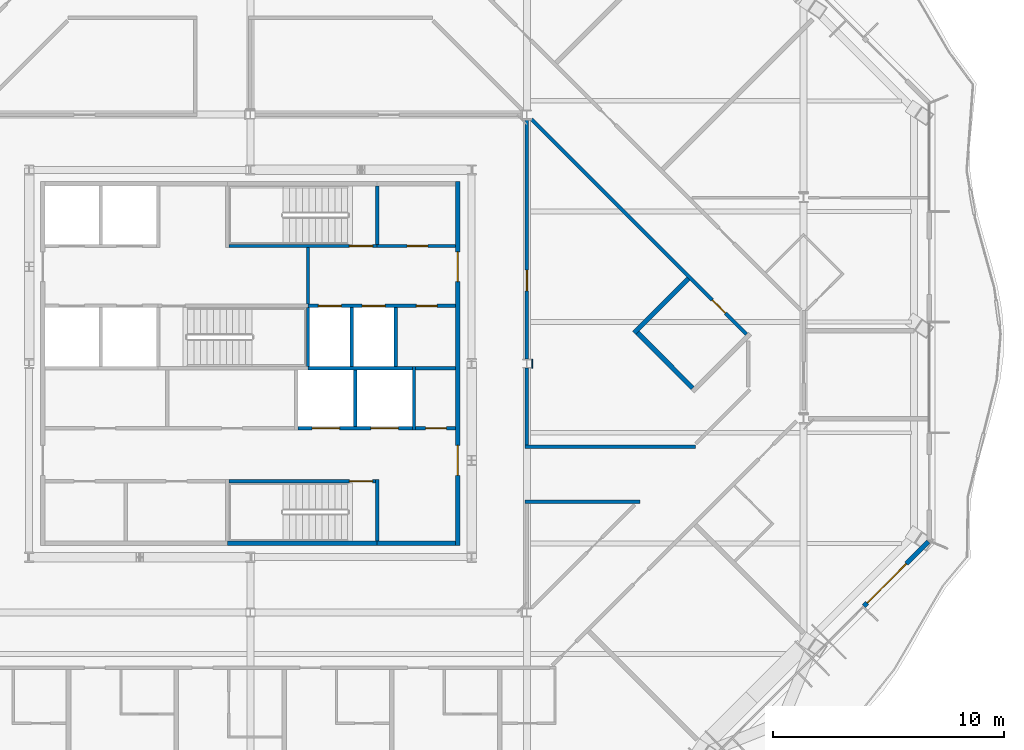
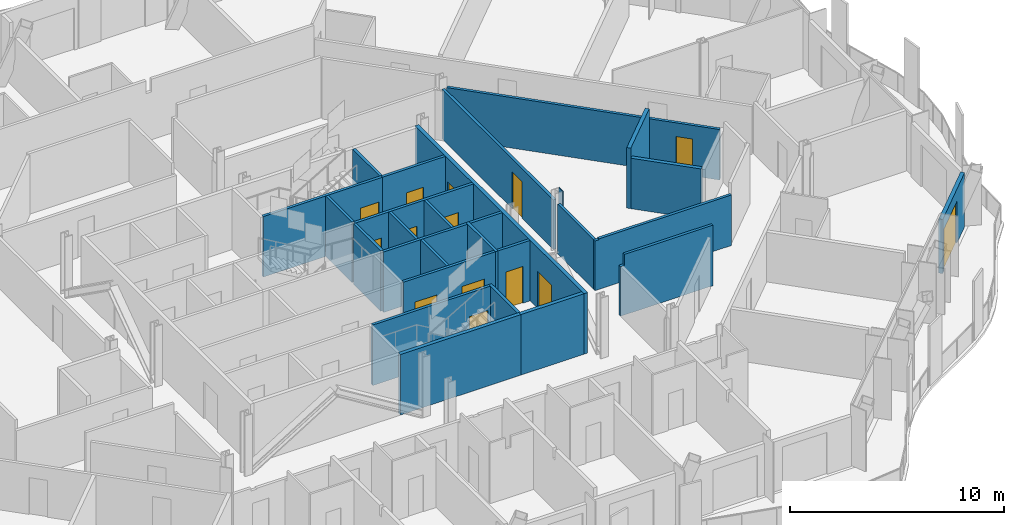
# One storey, part 10 of 21: 28 walls, 14 doors, 14 openings.
"""IFC4 building model written with IfcOpenShell, lengths in metres."""

from ifc_helpers import new_model, si_unit, direction, frame, frame_2d, origin, place, context, subcontext, project, spatial, polyline, rectangle, outline, extrude, material, layer, layer_set, type_object, element, fill, save


model = new_model("IFC4")

# Units and contexts
model_context = context("Model", 3, precision=1e-05, world=origin(), true_north=direction((0.0, 1.0)))
body_context = subcontext(model_context, "Body", "Model", "MODEL_VIEW")
ifc_project = project(units=[si_unit("LENGTHUNIT", "METRE"), si_unit("AREAUNIT", "SQUARE_METRE"), si_unit("VOLUMEUNIT", "CUBIC_METRE"), si_unit("PLANEANGLEUNIT", "RADIAN"), si_unit("MASSUNIT", "GRAM", prefix="KILO")], contexts=[model_context])

# Site, building, storey
site_placement = place(None, origin())
site = spatial("IfcSite", under=ifc_project, at=site_placement, CompositionType="ELEMENT")
building_placement = place(site_placement, origin())
building = spatial("IfcBuilding", under=site, at=building_placement, Name="Cairn Pilgrim Tower", CompositionType="ELEMENT")
storey_placement = place(building_placement, frame((0.0, 0.0, 179.39990234375)))
storey = spatial("IfcBuildingStorey", under=building, at=storey_placement, Name="L45", CompositionType="ELEMENT", Elevation=179.39990234375)

# Wall, opening, door
ifc_material_1 = material(Name="Bronze anodised aluminium insulated sandwich panel with mineral wool fill", Category="aluminium")
ifc_layer_1 = layer(ifc_material_1, 0.199951171875)
ifc_layer_set_1 = layer_set([ifc_layer_1], Name="BRONZE INFILL FRAME WALL 200")
wall_type_1 = type_object("IfcWallType", Name="BRONZE INFILL FRAME WALL 200", PredefinedType="NOTDEFINED", material=ifc_layer_set_1)
wall_1_placement = place(storey_placement, frame((33.820556640625, -8.1259765625, 0.0), z_axis=(0.0, 0.0, 1.0), x_axis=(0.707106781187, 0.707106781187, 0.0)))
wall_1 = element("IfcWall", 1, at=wall_1_placement, inside=storey, type_object=wall_type_1, Name="Bronze infill frame wall IW-SE5", PredefinedType="NOTDEFINED", context=body_context, shape_type="SweptSolid", body=[
    extrude(rectangle(XDim=3.961669921875, YDim=0.199951171875, at=frame_2d((1.98095703125, 0.0))), origin(), (0.0, 0.0, 1.0), 3.090087890625),
])
opening_1_placement = place(wall_1_placement, frame((0.199951171875, 0.0, 0.0)))
opening_1 = element("IfcOpeningElement", 2, at=opening_1_placement, cuts=wall_1, Name="Opening 4505B2", PredefinedType="OPENING", context=body_context, shape_type="SweptSolid", body=[
    extrude(rectangle(XDim=2.39990234375, YDim=2.39990234375, at=frame_2d((1.199951171875, 1.199951171875))), frame((0.0, 0.10986328125, 0.0), z_axis=(0.0, -1.0, 0.0), x_axis=(1.0, 0.0, 0.0)), (0.0, 0.0, 1.0), 0.219970703125),
])
ifc_material_2 = material(Name="Bronze anodised aluminium frame with tinted low-E glass", Category="aluminium")
door_type_1 = type_object("IfcDoorType", Name="BALCONY SLIDING DOOR 2400x2400", OperationType="DOUBLE_DOOR_SLIDING", PredefinedType="DOOR", material=ifc_material_2)
door_1_placement = place(opening_1_placement, origin())
door_1 = element("IfcDoor", 3, at=door_1_placement, inside=storey, type_object=door_type_1, Name="Balcony sliding door 4505B2", OperationType="SINGLE_SWING_LEFT", OverallHeight=2.39990234375, OverallWidth=2.39990234375, PredefinedType="DOOR", context=body_context, shape_type="SweptSolid", body=[
    extrude(rectangle(XDim=2.39990234375, YDim=2.39990234375, at=frame_2d((1.199951171875, 1.199951171875))), frame((0.0, 0.02490234375, 0.0), z_axis=(0.0, -1.0, 0.0), x_axis=(1.0, 0.0, 0.0)), (0.0, 0.0, 1.0), 0.050048828125),
])
fill(opening_1, door_1)

# Wall
ifc_material_3 = material(Name="Concrete C32/40", Category="concrete")
ifc_layer_2 = layer(ifc_material_3, 0.199951171875)
ifc_layer_set_2 = layer_set([ifc_layer_2], Name="CORE OUTER WALL 200 EI 120")
wall_type_2 = type_object("IfcWallType", Name="CORE OUTER WALL 200 EI 120", PredefinedType="SOLIDWALL", material=ifc_layer_set_2)
wall_2_placement = place(storey_placement, frame((12.699951171875, -5.39990234375, 0.0), z_axis=(0.0, 0.0, 1.0), x_axis=(1.0, 0.0, 0.0)))
element("IfcWall", 4, at=wall_2_placement, inside=storey, type_object=wall_type_2, Name="CW:L45:H01-3", PredefinedType="SOLIDWALL", context=body_context, shape_type="SweptSolid", body=[
    extrude(rectangle(XDim=3.400146484375, YDim=0.199951171875, at=frame_2d((1.7001953125, 0.0))), origin(), (0.0, 0.0, 1.0), 3.4501953125),
])

# Wall, openings, doors
wall_3_placement = place(storey_placement, frame((16.199951171875, -5.5, 0.0), z_axis=(0.0, 0.0, 1.0), x_axis=(0.0, 1.0, 0.0)))
wall_3 = element("IfcWall", 5, at=wall_3_placement, inside=storey, type_object=wall_type_2, Name="CW:L45:V31", PredefinedType="SOLIDWALL", context=body_context, shape_type="SweptSolid", body=[
    extrude(rectangle(XDim=15.800048828125, YDim=0.199951171875, at=frame_2d((7.89990234375, 0.0))), origin(), (0.0, 0.0, 1.0), 3.4501953125),
])
opening_2_placement = place(wall_3_placement, frame((3.050048828125, 0.0, 0.0)))
opening_2 = element("IfcOpeningElement", 6, at=opening_2_placement, cuts=wall_3, Name="Opening CD-E1", PredefinedType="OPENING", context=body_context, shape_type="SweptSolid", body=[
    extrude(rectangle(XDim=1.300048828125, YDim=2.10009765625, at=frame_2d((0.64990234375, 1.050048828125))), frame((0.0, 0.10986328125, 0.0), z_axis=(0.0, -1.0, 0.0), x_axis=(1.0, 0.0, 0.0)), (0.0, 0.0, 1.0), 0.219970703125),
])
opening_3_placement = place(wall_3_placement, frame((11.449951171875, 0.0, 0.0)))
opening_3 = element("IfcOpeningElement", 7, at=opening_3_placement, cuts=wall_3, Name="Opening CD-E2", PredefinedType="OPENING", context=body_context, shape_type="SweptSolid", body=[
    extrude(rectangle(XDim=1.300048828125, YDim=2.10009765625, at=frame_2d((0.64990234375, 1.050048828125))), frame((0.0, 0.10986328125, 0.0), z_axis=(0.0, -1.0, 0.0), x_axis=(1.0, 0.0, 0.0)), (0.0, 0.0, 1.0), 0.219970703125),
])
ifc_material_4 = material(Name="Painted steel", Category="steel")
door_type_2 = type_object("IfcDoorType", Name="CORE LOBBY DOOR 1300x2100", OperationType="DOUBLE_DOOR_SINGLE_SWING", PredefinedType="DOOR", material=ifc_material_4)
door_2_placement = place(opening_2_placement, origin())
door_2 = element("IfcDoor", 8, at=door_2_placement, inside=storey, type_object=door_type_2, Name="CD-E1", OperationType="DOUBLE_DOOR_SINGLE_SWING", OverallHeight=2.10009765625, OverallWidth=1.300048828125, PredefinedType="DOOR", context=body_context, shape_type="SweptSolid", body=[
    extrude(rectangle(XDim=1.300048828125, YDim=2.10009765625, at=frame_2d((0.64990234375, 1.050048828125))), frame((0.0, 0.02490234375, 0.0), z_axis=(0.0, -1.0, 0.0), x_axis=(1.0, 0.0, 0.0)), (0.0, 0.0, 1.0), 0.050048828125),
])
fill(opening_2, door_2)
door_3_placement = place(opening_3_placement, origin())
door_3 = element("IfcDoor", 9, at=door_3_placement, inside=storey, type_object=door_type_2, Name="CD-E2", OperationType="DOUBLE_DOOR_SINGLE_SWING", OverallHeight=2.10009765625, OverallWidth=1.300048828125, PredefinedType="DOOR", context=body_context, shape_type="SweptSolid", body=[
    extrude(rectangle(XDim=1.300048828125, YDim=2.10009765625, at=frame_2d((0.64990234375, 1.050048828125))), frame((0.0, 0.02490234375, 0.0), z_axis=(0.0, -1.0, 0.0), x_axis=(1.0, 0.0, 0.0)), (0.0, 0.0, 1.0), 0.050048828125),
])
fill(opening_3, door_3)

# Wall, opening, door
ifc_layer_3 = layer(ifc_material_3, 0.14990234375)
ifc_layer_set_3 = layer_set([ifc_layer_3], Name="CORE PARTITION 150 EI 60")
wall_type_3 = type_object("IfcWallType", Name="CORE PARTITION 150 EI 60", PredefinedType="PARTITIONING", material=ifc_layer_set_3)
wall_4_placement = place(storey_placement, frame((14.375, -0.39990234375, 0.0), z_axis=(0.0, 0.0, 1.0), x_axis=(1.0, 0.0, 0.0)))
wall_4 = element("IfcWall", 10, at=wall_4_placement, inside=storey, type_object=wall_type_3, Name="CW:L45:H06", PredefinedType="PARTITIONING", context=body_context, shape_type="SweptSolid", body=[
    extrude(rectangle(XDim=1.72509765625, YDim=0.14990234375, at=frame_2d((0.862548828125, 0.0))), origin(), (0.0, 0.0, 1.0), 3.4501953125),
])
opening_4_placement = place(wall_4_placement, frame((0.425048828125, 0.0, 0.0)))
opening_4 = element("IfcOpeningElement", 11, at=opening_4_placement, cuts=wall_4, Name="Opening RD-R2E", PredefinedType="OPENING", context=body_context, shape_type="SweptSolid", body=[
    extrude(rectangle(XDim=0.89990234375, YDim=2.10009765625, at=frame_2d((0.449951171875, 1.050048828125))), frame((0.0, 0.0849609375, 0.0), z_axis=(0.0, -1.0, 0.0), x_axis=(1.0, 0.0, 0.0)), (0.0, 0.0, 1.0), 0.169921875),
])
door_type_3 = type_object("IfcDoorType", Name="SERVICE ROOM DOOR 900x2100", OperationType="SINGLE_SWING_LEFT", PredefinedType="DOOR", material=ifc_material_4)
door_4_placement = place(opening_4_placement, origin())
door_4 = element("IfcDoor", 12, at=door_4_placement, inside=storey, type_object=door_type_3, Name="RD-R2E", OperationType="SINGLE_SWING_RIGHT", OverallHeight=2.10009765625, OverallWidth=0.89990234375, PredefinedType="DOOR", context=body_context, shape_type="SweptSolid", body=[
    extrude(rectangle(XDim=0.89990234375, YDim=2.10009765625, at=frame_2d((0.449951171875, 1.050048828125))), frame((0.0, 0.02490234375, 0.0), z_axis=(0.0, -1.0, 0.0), x_axis=(1.0, 0.0, 0.0)), (0.0, 0.0, 1.0), 0.050048828125),
])
fill(opening_4, door_4)

# Wall
wall_5_placement = place(storey_placement, frame((14.375, 2.199951171875, 0.0), z_axis=(0.0, 0.0, 1.0), x_axis=(1.0, 0.0, 0.0)))
element("IfcWall", 13, at=wall_5_placement, inside=storey, type_object=wall_type_3, Name="CW:L45:H08", PredefinedType="PARTITIONING", context=body_context, shape_type="SweptSolid", body=[
    extrude(rectangle(XDim=1.72509765625, YDim=0.14990234375, at=frame_2d((0.862548828125, 0.0))), origin(), (0.0, 0.0, 1.0), 3.4501953125),
])

# Wall, openings, doors
ifc_layer_4 = layer(ifc_material_3, 0.14990234375)
ifc_layer_set_4 = layer_set([ifc_layer_4], Name="CORE SHAFT WALL 150 EI 120")
wall_type_4 = type_object("IfcWallType", Name="CORE SHAFT WALL 150 EI 120", PredefinedType="SOLIDWALL", material=ifc_layer_set_4)
wall_6_placement = place(storey_placement, frame((9.27490234375, -0.39990234375, 0.0), z_axis=(0.0, 0.0, 1.0), x_axis=(1.0, 0.0, 0.0)))
wall_6 = element("IfcWall", 14, at=wall_6_placement, inside=storey, type_object=wall_type_4, Name="CW:L45:H05", PredefinedType="SOLIDWALL", context=body_context, shape_type="SweptSolid", body=[
    extrude(rectangle(XDim=4.9501953125, YDim=0.14990234375, at=frame_2d((2.47509765625, 0.0))), origin(), (0.0, 0.0, 1.0), 3.4501953125),
])
opening_5_placement = place(wall_6_placement, frame((0.60009765625, 0.0, 0.0)))
opening_5 = element("IfcOpeningElement", 15, at=opening_5_placement, cuts=wall_6, Name="Opening LD-SV1", PredefinedType="OPENING", context=body_context, shape_type="SweptSolid", body=[
    extrude(rectangle(XDim=1.199951171875, YDim=2.10009765625, at=frame_2d((0.60009765625, 1.050048828125))), frame((0.0, 0.0849609375, 0.0), z_axis=(0.0, -1.0, 0.0), x_axis=(1.0, 0.0, 0.0)), (0.0, 0.0, 1.0), 0.169921875),
])
opening_6_placement = place(wall_6_placement, frame((3.14990234375, 0.0, 0.0)))
opening_6 = element("IfcOpeningElement", 16, at=opening_6_placement, cuts=wall_6, Name="Opening LD-SV2", PredefinedType="OPENING", context=body_context, shape_type="SweptSolid", body=[
    extrude(rectangle(XDim=1.199951171875, YDim=2.10009765625, at=frame_2d((0.60009765625, 1.050048828125))), frame((0.0, 0.0849609375, 0.0), z_axis=(0.0, -1.0, 0.0), x_axis=(1.0, 0.0, 0.0)), (0.0, 0.0, 1.0), 0.169921875),
])
ifc_material_5 = material(Name="Stainless steel", Category="steel")
door_type_4 = type_object("IfcDoorType", Name="LIFT LANDING DOOR 1200x2100", OperationType="DOUBLE_DOOR_SLIDING", PredefinedType="DOOR", material=ifc_material_5)
door_5_placement = place(opening_5_placement, origin())
door_5 = element("IfcDoor", 17, at=door_5_placement, inside=storey, type_object=door_type_4, Name="LANDING DOOR SV1", OperationType="DOUBLE_DOOR_SLIDING", OverallHeight=2.10009765625, OverallWidth=1.199951171875, PredefinedType="DOOR", context=body_context, shape_type="SweptSolid", body=[
    extrude(rectangle(XDim=1.199951171875, YDim=2.10009765625, at=frame_2d((0.60009765625, 1.050048828125))), frame((0.0, 0.02490234375, 0.0), z_axis=(0.0, -1.0, 0.0), x_axis=(1.0, 0.0, 0.0)), (0.0, 0.0, 1.0), 0.050048828125),
])
fill(opening_5, door_5)
door_6_placement = place(opening_6_placement, origin())
door_6 = element("IfcDoor", 18, at=door_6_placement, inside=storey, type_object=door_type_4, Name="LANDING DOOR SV2", OperationType="DOUBLE_DOOR_SLIDING", OverallHeight=2.10009765625, OverallWidth=1.199951171875, PredefinedType="DOOR", context=body_context, shape_type="SweptSolid", body=[
    extrude(rectangle(XDim=1.199951171875, YDim=2.10009765625, at=frame_2d((0.60009765625, 1.050048828125))), frame((0.0, 0.02490234375, 0.0), z_axis=(0.0, -1.0, 0.0), x_axis=(1.0, 0.0, 0.0)), (0.0, 0.0, 1.0), 0.050048828125),
])
fill(opening_6, door_6)

# Wall
wall_7_placement = place(storey_placement, frame((9.699951171875, 2.199951171875, 0.0), z_axis=(0.0, 0.0, 1.0), x_axis=(1.0, 0.0, 0.0)))
element("IfcWall", 19, at=wall_7_placement, inside=storey, type_object=wall_type_4, Name="CW:L45:H07-3", PredefinedType="SOLIDWALL", context=body_context, shape_type="SweptSolid", body=[
    extrude(rectangle(XDim=4.525146484375, YDim=0.14990234375, at=frame_2d((2.2626953125, 0.0))), origin(), (0.0, 0.0, 1.0), 3.4501953125),
])

# Wall, openings, doors
wall_8_placement = place(storey_placement, frame((9.699951171875, 4.89990234375, 0.0), z_axis=(0.0, 0.0, 1.0), x_axis=(1.0, 0.0, 0.0)))
wall_8 = element("IfcWall", 20, at=wall_8_placement, inside=storey, type_object=wall_type_4, Name="CW:L45:H09-3", PredefinedType="SOLIDWALL", context=body_context, shape_type="SweptSolid", body=[
    extrude(rectangle(XDim=6.400146484375, YDim=0.14990234375, at=frame_2d((3.2001953125, 0.0))), origin(), (0.0, 0.0, 1.0), 3.4501953125),
])
opening_7_placement = place(wall_8_placement, frame((0.449951171875, 0.0, 0.0)))
opening_7 = element("IfcOpeningElement", 21, at=opening_7_placement, cuts=wall_8, Name="Opening LD-FF1", PredefinedType="OPENING", context=body_context, shape_type="SweptSolid", body=[
    extrude(rectangle(XDim=1.0, YDim=2.10009765625, at=frame_2d((0.5, 1.050048828125))), frame((0.0, 0.0849609375, 0.0), z_axis=(0.0, -1.0, 0.0), x_axis=(1.0, 0.0, 0.0)), (0.0, 0.0, 1.0), 0.169921875),
])
opening_8_placement = place(wall_8_placement, frame((2.35009765625, 0.0, 0.0)))
opening_8 = element("IfcOpeningElement", 22, at=opening_8_placement, cuts=wall_8, Name="Opening LD-FF2", PredefinedType="OPENING", context=body_context, shape_type="SweptSolid", body=[
    extrude(rectangle(XDim=1.0, YDim=2.10009765625, at=frame_2d((0.5, 1.050048828125))), frame((0.0, 0.0849609375, 0.0), z_axis=(0.0, -1.0, 0.0), x_axis=(1.0, 0.0, 0.0)), (0.0, 0.0, 1.0), 0.169921875),
])
opening_9_placement = place(wall_8_placement, frame((4.699951171875, 0.0, 0.0)))
opening_9 = element("IfcOpeningElement", 23, at=opening_9_placement, cuts=wall_8, Name="Opening RD-R3E", PredefinedType="OPENING", context=body_context, shape_type="SweptSolid", body=[
    extrude(rectangle(XDim=0.89990234375, YDim=2.10009765625, at=frame_2d((0.449951171875, 1.050048828125))), frame((0.0, 0.0849609375, 0.0), z_axis=(0.0, -1.0, 0.0), x_axis=(1.0, 0.0, 0.0)), (0.0, 0.0, 1.0), 0.169921875),
])
door_type_5 = type_object("IfcDoorType", Name="LIFT LANDING DOOR FIRE 1000x2100", OperationType="DOUBLE_DOOR_SLIDING", PredefinedType="DOOR", material=ifc_material_5)
door_7_placement = place(opening_7_placement, origin())
door_7 = element("IfcDoor", 24, at=door_7_placement, inside=storey, type_object=door_type_5, Name="LANDING DOOR FF1", OperationType="DOUBLE_DOOR_SLIDING", OverallHeight=2.10009765625, OverallWidth=1.0, PredefinedType="DOOR", context=body_context, shape_type="SweptSolid", body=[
    extrude(rectangle(XDim=1.0, YDim=2.10009765625, at=frame_2d((0.5, 1.050048828125))), frame((0.0, 0.02490234375, 0.0), z_axis=(0.0, -1.0, 0.0), x_axis=(1.0, 0.0, 0.0)), (0.0, 0.0, 1.0), 0.050048828125),
])
fill(opening_7, door_7)
door_8_placement = place(opening_8_placement, origin())
door_8 = element("IfcDoor", 25, at=door_8_placement, inside=storey, type_object=door_type_5, Name="LANDING DOOR FF2", OperationType="DOUBLE_DOOR_SLIDING", OverallHeight=2.10009765625, OverallWidth=1.0, PredefinedType="DOOR", context=body_context, shape_type="SweptSolid", body=[
    extrude(rectangle(XDim=1.0, YDim=2.10009765625, at=frame_2d((0.5, 1.050048828125))), frame((0.0, 0.02490234375, 0.0), z_axis=(0.0, -1.0, 0.0), x_axis=(1.0, 0.0, 0.0)), (0.0, 0.0, 1.0), 0.050048828125),
])
fill(opening_8, door_8)
door_9_placement = place(opening_9_placement, origin())
door_9 = element("IfcDoor", 26, at=door_9_placement, inside=storey, type_object=door_type_3, Name="RD-R3E", OperationType="SINGLE_SWING_LEFT", OverallHeight=2.10009765625, OverallWidth=0.89990234375, PredefinedType="DOOR", context=body_context, shape_type="SweptSolid", body=[
    extrude(rectangle(XDim=0.89990234375, YDim=2.10009765625, at=frame_2d((0.449951171875, 1.050048828125))), frame((0.0, 0.02490234375, 0.0), z_axis=(0.0, -1.0, 0.0), x_axis=(1.0, 0.0, 0.0)), (0.0, 0.0, 1.0), 0.050048828125),
])
fill(opening_9, door_9)

# Wall, opening, door
wall_9_placement = place(storey_placement, frame((12.699951171875, 7.5, 0.0), z_axis=(0.0, 0.0, 1.0), x_axis=(1.0, 0.0, 0.0)))
wall_9 = element("IfcWall", 27, at=wall_9_placement, inside=storey, type_object=wall_type_4, Name="CW:L45:H11-2", PredefinedType="SOLIDWALL", context=body_context, shape_type="SweptSolid", body=[
    extrude(rectangle(XDim=3.400146484375, YDim=0.14990234375, at=frame_2d((1.7001953125, 0.0))), origin(), (0.0, 0.0, 1.0), 3.4501953125),
])
opening_10_placement = place(wall_9_placement, frame((1.300048828125, 0.0, 0.0)))
opening_10 = element("IfcOpeningElement", 28, at=opening_10_placement, cuts=wall_9, Name="Opening RD-R4E", PredefinedType="OPENING", context=body_context, shape_type="SweptSolid", body=[
    extrude(rectangle(XDim=0.89990234375, YDim=2.10009765625, at=frame_2d((0.449951171875, 1.050048828125))), frame((0.0, 0.0849609375, 0.0), z_axis=(0.0, -1.0, 0.0), x_axis=(1.0, 0.0, 0.0)), (0.0, 0.0, 1.0), 0.169921875),
])
door_10_placement = place(opening_10_placement, origin())
door_10 = element("IfcDoor", 29, at=door_10_placement, inside=storey, type_object=door_type_3, Name="RD-R4E", OperationType="SINGLE_SWING_RIGHT", OverallHeight=2.10009765625, OverallWidth=0.89990234375, PredefinedType="DOOR", context=body_context, shape_type="SweptSolid", body=[
    extrude(rectangle(XDim=0.89990234375, YDim=2.10009765625, at=frame_2d((0.449951171875, 1.050048828125))), frame((0.0, 0.02490234375, 0.0), z_axis=(0.0, -1.0, 0.0), x_axis=(1.0, 0.0, 0.0)), (0.0, 0.0, 1.0), 0.050048828125),
])
fill(opening_10, door_10)

# Walls
wall_10_placement = place(storey_placement, frame((9.699951171875, 4.97509765625, 0.0), z_axis=(0.0, 0.0, 1.0), x_axis=(0.0, 1.0, 0.0)))
element("IfcWall", 30, at=wall_10_placement, inside=storey, type_object=wall_type_4, Name="CW:L45:V24", PredefinedType="SOLIDWALL", context=body_context, shape_type="SweptSolid", body=[
    extrude(rectangle(XDim=2.449951171875, YDim=0.14990234375, at=frame_2d((1.22509765625, 0.0))), origin(), (0.0, 0.0, 1.0), 3.4501953125),
])
wall_11_placement = place(storey_placement, frame((11.60009765625, 2.27490234375, 0.0), z_axis=(0.0, 0.0, 1.0), x_axis=(0.0, 1.0, 0.0)))
element("IfcWall", 31, at=wall_11_placement, inside=storey, type_object=wall_type_4, Name="CW:L45:V25", PredefinedType="SOLIDWALL", context=body_context, shape_type="SweptSolid", body=[
    extrude(rectangle(XDim=2.550048828125, YDim=0.14990234375, at=frame_2d((1.27490234375, 0.0))), origin(), (0.0, 0.0, 1.0), 3.4501953125),
])
wall_12_placement = place(storey_placement, frame((11.75, -0.324951171875, 0.0), z_axis=(0.0, 0.0, 1.0), x_axis=(0.0, 1.0, 0.0)))
element("IfcWall", 32, at=wall_12_placement, inside=storey, type_object=wall_type_4, Name="CW:L45:V26", PredefinedType="SOLIDWALL", context=body_context, shape_type="SweptSolid", body=[
    extrude(rectangle(XDim=2.449951171875, YDim=0.14990234375, at=frame_2d((1.22509765625, 0.0))), origin(), (0.0, 0.0, 1.0), 3.4501953125),
])
wall_13_placement = place(storey_placement, frame((13.5, 2.27490234375, 0.0), z_axis=(0.0, 0.0, 1.0), x_axis=(0.0, 1.0, 0.0)))
element("IfcWall", 33, at=wall_13_placement, inside=storey, type_object=wall_type_4, Name="CW:L45:V29", PredefinedType="SOLIDWALL", context=body_context, shape_type="SweptSolid", body=[
    extrude(rectangle(XDim=2.550048828125, YDim=0.14990234375, at=frame_2d((1.27490234375, 0.0))), origin(), (0.0, 0.0, 1.0), 3.4501953125),
])
wall_14_placement = place(storey_placement, frame((14.300048828125, -0.47509765625, 0.0), z_axis=(0.0, 0.0, 1.0), x_axis=(0.0, 1.0, 0.0)))
element("IfcWall", 34, at=wall_14_placement, inside=storey, type_object=wall_type_4, Name="CW:L45:V30", PredefinedType="SOLIDWALL", context=body_context, shape_type="SweptSolid", body=[
    extrude(rectangle(XDim=2.75, YDim=0.14990234375, at=frame_2d((1.375, 0.0))), origin(), (0.0, 0.0, 1.0), 3.4501953125),
])
ifc_material_6 = material(Name="Gypsum partition")
ifc_layer_5 = layer(ifc_material_6, 0.14990234375)
ifc_layer_set_5 = layer_set([ifc_layer_5], Name="PARTITION 150 DRYWALL EI 60")
wall_type_5 = type_object("IfcWallType", Name="PARTITION 150 DRYWALL EI 60", PredefinedType="PARTITIONING", material=ifc_layer_set_5)
wall_15_placement = place(storey_placement, frame((19.125, -3.60009765625, 0.0), z_axis=(0.0, 0.0, 1.0), x_axis=(1.0, 0.0, 0.0)))
element("IfcWall", 35, at=wall_15_placement, inside=storey, type_object=wall_type_5, Name="PARTITION W035", PredefinedType="PARTITIONING", context=body_context, shape_type="SweptSolid", body=[
    extrude(outline(polyline([(0.0, 0.0), (4.981201171875, 0.0), (4.981201171875, 3.4501953125), (0.22509765625, 3.4501953125), (0.222900390625, 2.830078125), (0.0, 2.830078125), (0.0, 0.0)])), frame((0.0, 0.074951171875, 0.0), z_axis=(0.0, -1.0, 0.0), x_axis=(1.0, 0.0, 0.0)), (0.0, 0.0, 1.0), 0.14990234375),
])
wall_16_placement = place(storey_placement, frame((19.125, -1.199951171875, 0.0), z_axis=(0.0, 0.0, 1.0), x_axis=(1.0, 0.0, 0.0)))
element("IfcWall", 36, at=wall_16_placement, inside=storey, type_object=wall_type_5, Name="PARTITION W038", PredefinedType="PARTITIONING", context=body_context, shape_type="SweptSolid", body=[
    extrude(outline(polyline([(0.0, 0.0), (7.381103515625, 0.0), (7.381103515625, 2.880126953125), (0.22509765625, 2.880126953125), (0.222900390625, 2.830078125), (0.0, 2.830078125), (0.0, 0.0)])), frame((0.0, 0.074951171875, 0.0), z_axis=(0.0, -1.0, 0.0), x_axis=(1.0, 0.0, 0.0)), (0.0, 0.0, 1.0), 0.14990234375),
])
wall_17_placement = place(storey_placement, frame((19.199951171875, -1.125, 0.0), z_axis=(0.0, 0.0, 1.0), x_axis=(0.0, 1.0, 0.0)))
element("IfcWall", 37, at=wall_17_placement, inside=storey, type_object=wall_type_5, Name="PARTITION W042", PredefinedType="PARTITIONING", context=body_context, shape_type="SweptSolid", body=[
    extrude(rectangle(XDim=3.32861328125, YDim=0.14990234375, at=frame_2d((1.664306640625, 0.0))), origin(), (0.0, 0.0, 1.0), 2.830078125),
])

# Wall, opening, door
wall_18_placement = place(storey_placement, frame((19.199951171875, 2.596435546875, 0.0), z_axis=(0.0, 0.0, 1.0), x_axis=(0.0, 1.0, 0.0)))
wall_18 = element("IfcWall", 38, at=wall_18_placement, inside=storey, type_object=wall_type_5, Name="PARTITION W054", PredefinedType="PARTITIONING", context=body_context, shape_type="SweptSolid", body=[
    extrude(rectangle(XDim=10.406982421875, YDim=0.14990234375, at=frame_2d((5.20361328125, 0.0))), origin(), (0.0, 0.0, 1.0), 2.830078125),
])
opening_11_placement = place(wall_18_placement, frame((2.95361328125, 0.0, 0.0)))
opening_11 = element("IfcOpeningElement", 39, at=opening_11_placement, cuts=wall_18, Name="Opening 4524", PredefinedType="OPENING", context=body_context, shape_type="SweptSolid", body=[
    extrude(rectangle(XDim=0.89990234375, YDim=2.10009765625, at=frame_2d((0.449951171875, 1.050048828125))), frame((0.0, 0.0849609375, 0.0), z_axis=(0.0, -1.0, 0.0), x_axis=(1.0, 0.0, 0.0)), (0.0, 0.0, 1.0), 0.169921875),
])
ifc_material_7 = material(Name="Timber door leaf", Category="wood")
door_type_6 = type_object("IfcDoorType", Name="SERVICE DOOR 900x2100 FD30S", OperationType="NOTDEFINED", PredefinedType="DOOR", material=ifc_material_7)
door_11_placement = place(opening_11_placement, frame((0.89990234375, 0.0, 0.0), z_axis=(0.0, 0.0, 1.0), x_axis=(-1.0, 0.0, 0.0)))
door_11 = element("IfcDoor", 40, at=door_11_placement, inside=storey, type_object=door_type_6, Name="DOOR 4524", OperationType="SINGLE_SWING_RIGHT", OverallHeight=2.10009765625, OverallWidth=0.89990234375, PredefinedType="DOOR", context=body_context, shape_type="SweptSolid", body=[
    extrude(rectangle(XDim=0.89990234375, YDim=2.10009765625, at=frame_2d((0.449951171875, 1.050048828125))), frame((0.0, 0.02490234375, 0.0), z_axis=(0.0, -1.0, 0.0), x_axis=(1.0, 0.0, 0.0)), (0.0, 0.0, 1.0), 0.050048828125),
])
fill(opening_11, door_11)

wall_19_placement = place(storey_placement, frame((28.729248046875, 3.670654296875, 0.0), z_axis=(0.0, 0.0, 1.0), x_axis=(-0.707106781187, 0.707106781187, 0.0)))
wall_19 = element("IfcWall", 41, at=wall_19_placement, inside=storey, type_object=wall_type_5, Name="PARTITION W056", PredefinedType="PARTITIONING", context=body_context, shape_type="SweptSolid", body=[
    extrude(rectangle(XDim=13.196533203125, YDim=0.14990234375, at=frame_2d((6.59814453125, 0.0))), origin(), (0.0, 0.0, 1.0), 2.880126953125),
])
opening_12_placement = place(wall_19_placement, frame((1.300048828125, 0.0, 0.0)))
opening_12 = element("IfcOpeningElement", 42, at=opening_12_placement, cuts=wall_19, Name="Opening 4521", PredefinedType="OPENING", context=body_context, shape_type="SweptSolid", body=[
    extrude(rectangle(XDim=0.800048828125, YDim=2.10009765625, at=frame_2d((0.39990234375, 1.050048828125))), frame((0.0, 0.0849609375, 0.0), z_axis=(0.0, -1.0, 0.0), x_axis=(1.0, 0.0, 0.0)), (0.0, 0.0, 1.0), 0.169921875),
])
door_type_7 = type_object("IfcDoorType", Name="WC DOOR 800x2100 FD30S", OperationType="NOTDEFINED", PredefinedType="DOOR", material=ifc_material_7)
door_12_placement = place(opening_12_placement, origin())
door_12 = element("IfcDoor", 43, at=door_12_placement, inside=storey, type_object=door_type_7, Name="DOOR 4521", OperationType="SINGLE_SWING_RIGHT", OverallHeight=2.10009765625, OverallWidth=0.800048828125, PredefinedType="DOOR", context=body_context, shape_type="SweptSolid", body=[
    extrude(rectangle(XDim=0.800048828125, YDim=2.10009765625, at=frame_2d((0.39990234375, 1.050048828125))), frame((0.0, 0.02490234375, 0.0), z_axis=(0.0, -1.0, 0.0), x_axis=(1.0, 0.0, 0.0)), (0.0, 0.0, 1.0), 0.050048828125),
])
fill(opening_12, door_12)

# Walls
ifc_layer_6 = layer(ifc_material_6, 0.050048828125)
ifc_layer_set_6 = layer_set([ifc_layer_6], Name="PARTITION 50 DRYWALL EI 60")
wall_type_6 = type_object("IfcWallType", Name="PARTITION 50 DRYWALL EI 60", PredefinedType="PARTITIONING", material=ifc_layer_set_6)
wall_20_placement = place(storey_placement, frame((19.424560546875, 2.20361328125, 0.0), z_axis=(0.0, 0.0, 1.0), x_axis=(0.0, 1.0, 0.0)))
element("IfcWall", 44, at=wall_20_placement, inside=storey, type_object=wall_type_6, Name="COLUMN CASING WC17", PredefinedType="PARTITIONING", context=body_context, shape_type="SweptSolid", body=[
    extrude(rectangle(XDim=0.392822265625, YDim=0.050048828125, at=frame_2d((0.1962890625, 0.0))), origin(), (0.0, 0.0, 1.0), 3.4501953125),
])
ifc_layer_7 = layer(ifc_material_6, 0.199951171875)
ifc_layer_set_7 = layer_set([ifc_layer_7], Name="SHAFT WALL 200 GYPSUM EI 60")
wall_type_7 = type_object("IfcWallType", Name="SHAFT WALL 200 GYPSUM EI 60", PredefinedType="PARTITIONING", material=ifc_layer_set_7)
wall_21_placement = place(storey_placement, frame((26.395263671875, 1.336669921875, 0.0), z_axis=(0.0, 0.0, 1.0), x_axis=(-0.706963147882, 0.707250385321, 0.0)))
element("IfcWall", 45, at=wall_21_placement, inside=storey, type_object=wall_type_7, Name="PARTITION W048", PredefinedType="PARTITIONING", context=body_context, shape_type="SweptSolid", body=[
    extrude(rectangle(XDim=3.39990234375, YDim=0.199951171875, at=frame_2d((1.699951171875, 0.0))), origin(), (0.0, 0.0, 1.0), 2.880126953125),
])
wall_22_placement = place(storey_placement, frame((23.850341796875, 3.7412109375, 0.0), z_axis=(0.0, 0.0, 1.0), x_axis=(0.706923198159, 0.707290316563, 0.0)))
element("IfcWall", 46, at=wall_22_placement, inside=storey, type_object=wall_type_7, Name="PARTITION W055", PredefinedType="PARTITIONING", context=body_context, shape_type="SweptSolid", body=[
    extrude(rectangle(XDim=3.3251953125, YDim=0.199951171875, at=frame_2d((1.66259765625, 0.0))), origin(), (0.0, 0.0, 1.0), 3.4501953125),
])

# Wall, opening, door
ifc_material_8 = material(Name="Concrete C35/45", Category="concrete")
ifc_layer_8 = layer(ifc_material_8, 0.14990234375)
ifc_layer_set_8 = layer_set([ifc_layer_8], Name="STAIR SHAFT WALL 150 EI 120")
wall_type_8 = type_object("IfcWallType", Name="STAIR SHAFT WALL 150 EI 120", PredefinedType="SOLIDWALL", material=ifc_layer_set_8)
wall_23_placement = place(storey_placement, frame((6.27490234375, -2.699951171875, 0.0), z_axis=(0.0, 0.0, 1.0), x_axis=(1.0, 0.0, 0.0)))
wall_23 = element("IfcWall", 47, at=wall_23_placement, inside=storey, type_object=wall_type_8, Name="CW:L45:H03", PredefinedType="SOLIDWALL", context=body_context, shape_type="SweptSolid", body=[
    extrude(rectangle(XDim=6.35009765625, YDim=0.14990234375, at=frame_2d((3.175048828125, 0.0))), origin(), (0.0, 0.0, 1.0), 3.4501953125),
])
opening_13_placement = place(wall_23_placement, frame((5.22509765625, 0.0, 0.0)))
opening_13 = element("IfcOpeningElement", 48, at=opening_13_placement, cuts=wall_23, Name="Opening SD-A", PredefinedType="OPENING", context=body_context, shape_type="SweptSolid", body=[
    extrude(rectangle(XDim=1.0, YDim=2.10009765625, at=frame_2d((0.5, 1.050048828125))), frame((0.0, 0.0849609375, 0.0), z_axis=(0.0, -1.0, 0.0), x_axis=(1.0, 0.0, 0.0)), (0.0, 0.0, 1.0), 0.169921875),
])
door_type_8 = type_object("IfcDoorType", Name="STAIR DOOR FD60S 1000x2100", OperationType="SINGLE_SWING_LEFT", PredefinedType="DOOR", material=ifc_material_4)
door_13_placement = place(opening_13_placement, origin())
door_13 = element("IfcDoor", 49, at=door_13_placement, inside=storey, type_object=door_type_8, Name="SD-A", OperationType="SINGLE_SWING_LEFT", OverallHeight=2.10009765625, OverallWidth=1.0, PredefinedType="DOOR", context=body_context, shape_type="SweptSolid", body=[
    extrude(rectangle(XDim=1.0, YDim=2.10009765625, at=frame_2d((0.5, 1.050048828125))), frame((0.0, 0.02490234375, 0.0), z_axis=(0.0, -1.0, 0.0), x_axis=(1.0, 0.0, 0.0)), (0.0, 0.0, 1.0), 0.050048828125),
])
fill(opening_13, door_13)

wall_24_placement = place(storey_placement, frame((6.27490234375, 7.5, 0.0), z_axis=(0.0, 0.0, 1.0), x_axis=(1.0, 0.0, 0.0)))
wall_24 = element("IfcWall", 50, at=wall_24_placement, inside=storey, type_object=wall_type_8, Name="CW:L45:H11-1", PredefinedType="SOLIDWALL", context=body_context, shape_type="SweptSolid", body=[
    extrude(rectangle(XDim=6.425048828125, YDim=0.14990234375, at=frame_2d((3.21240234375, 0.0))), origin(), (0.0, 0.0, 1.0), 3.4501953125),
])
opening_14_placement = place(wall_24_placement, frame((5.22509765625, 0.0, 0.0)))
opening_14 = element("IfcOpeningElement", 51, at=opening_14_placement, cuts=wall_24, Name="Opening SD-C", PredefinedType="OPENING", context=body_context, shape_type="SweptSolid", body=[
    extrude(rectangle(XDim=1.0, YDim=2.10009765625, at=frame_2d((0.5, 1.050048828125))), frame((0.0, 0.0849609375, 0.0), z_axis=(0.0, -1.0, 0.0), x_axis=(1.0, 0.0, 0.0)), (0.0, 0.0, 1.0), 0.169921875),
])
door_14_placement = place(opening_14_placement, origin())
door_14 = element("IfcDoor", 52, at=door_14_placement, inside=storey, type_object=door_type_8, Name="SD-C", OperationType="SINGLE_SWING_LEFT", OverallHeight=2.10009765625, OverallWidth=1.0, PredefinedType="DOOR", context=body_context, shape_type="SweptSolid", body=[
    extrude(rectangle(XDim=1.0, YDim=2.10009765625, at=frame_2d((0.5, 1.050048828125))), frame((0.0, 0.02490234375, 0.0), z_axis=(0.0, -1.0, 0.0), x_axis=(1.0, 0.0, 0.0)), (0.0, 0.0, 1.0), 0.050048828125),
])
fill(opening_14, door_14)

# Walls
wall_25_placement = place(storey_placement, frame((9.699951171875, 2.27490234375, 0.0), z_axis=(0.0, 0.0, 1.0), x_axis=(0.0, 1.0, 0.0)))
element("IfcWall", 53, at=wall_25_placement, inside=storey, type_object=wall_type_8, Name="CW:L45:V23", PredefinedType="SOLIDWALL", context=body_context, shape_type="SweptSolid", body=[
    extrude(rectangle(XDim=2.550048828125, YDim=0.14990234375, at=frame_2d((1.27490234375, 0.0))), origin(), (0.0, 0.0, 1.0), 3.4501953125),
])
wall_26_placement = place(storey_placement, frame((12.699951171875, -5.300048828125, 0.0), z_axis=(0.0, 0.0, 1.0), x_axis=(0.0, 1.0, 0.0)))
element("IfcWall", 54, at=wall_26_placement, inside=storey, type_object=wall_type_8, Name="CW:L45:V27", PredefinedType="SOLIDWALL", context=body_context, shape_type="SweptSolid", body=[
    extrude(rectangle(XDim=2.675048828125, YDim=0.14990234375, at=frame_2d((1.33740234375, 0.0))), origin(), (0.0, 0.0, 1.0), 3.4501953125),
])
wall_27_placement = place(storey_placement, frame((12.699951171875, 7.574951171875, 0.0), z_axis=(0.0, 0.0, 1.0), x_axis=(0.0, 1.0, 0.0)))
element("IfcWall", 55, at=wall_27_placement, inside=storey, type_object=wall_type_8, Name="CW:L45:V28", PredefinedType="SOLIDWALL", context=body_context, shape_type="SweptSolid", body=[
    extrude(rectangle(XDim=2.525146484375, YDim=0.14990234375, at=frame_2d((1.2626953125, 0.0))), origin(), (0.0, 0.0, 1.0), 3.4501953125),
])
ifc_layer_9 = layer(ifc_material_8, 0.199951171875)
ifc_layer_set_9 = layer_set([ifc_layer_9], Name="STAIR SHAFT WALL 200 EI 120")
wall_type_9 = type_object("IfcWallType", Name="STAIR SHAFT WALL 200 EI 120", PredefinedType="SOLIDWALL", material=ifc_layer_set_9)
wall_28_placement = place(storey_placement, frame((6.199951171875, -5.39990234375, 0.0), z_axis=(0.0, 0.0, 1.0), x_axis=(1.0, 0.0, 0.0)))
element("IfcWall", 56, at=wall_28_placement, inside=storey, type_object=wall_type_9, Name="CW:L45:H01-2", PredefinedType="SOLIDWALL", context=body_context, shape_type="SweptSolid", body=[
    extrude(rectangle(XDim=6.5, YDim=0.199951171875, at=frame_2d((3.25, 0.0))), origin(), (0.0, 0.0, 1.0), 3.4501953125),
])

save(model, "model.ifc")
